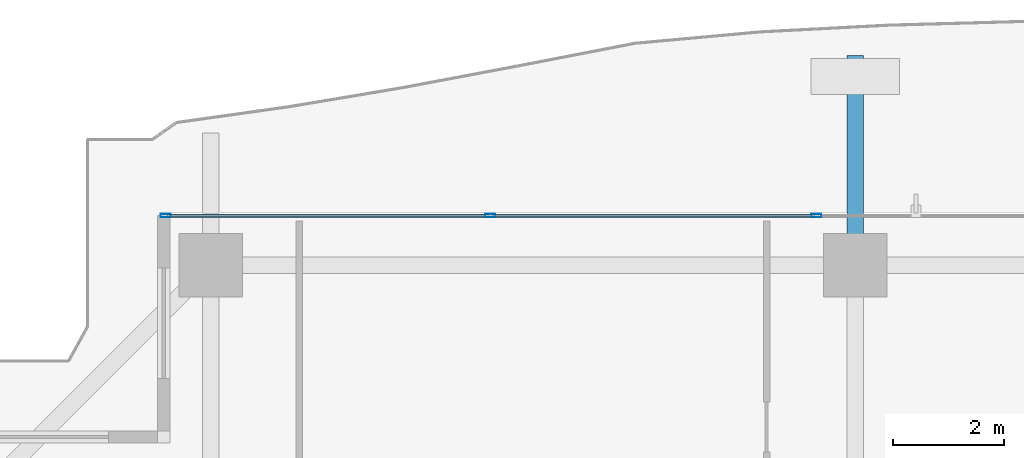
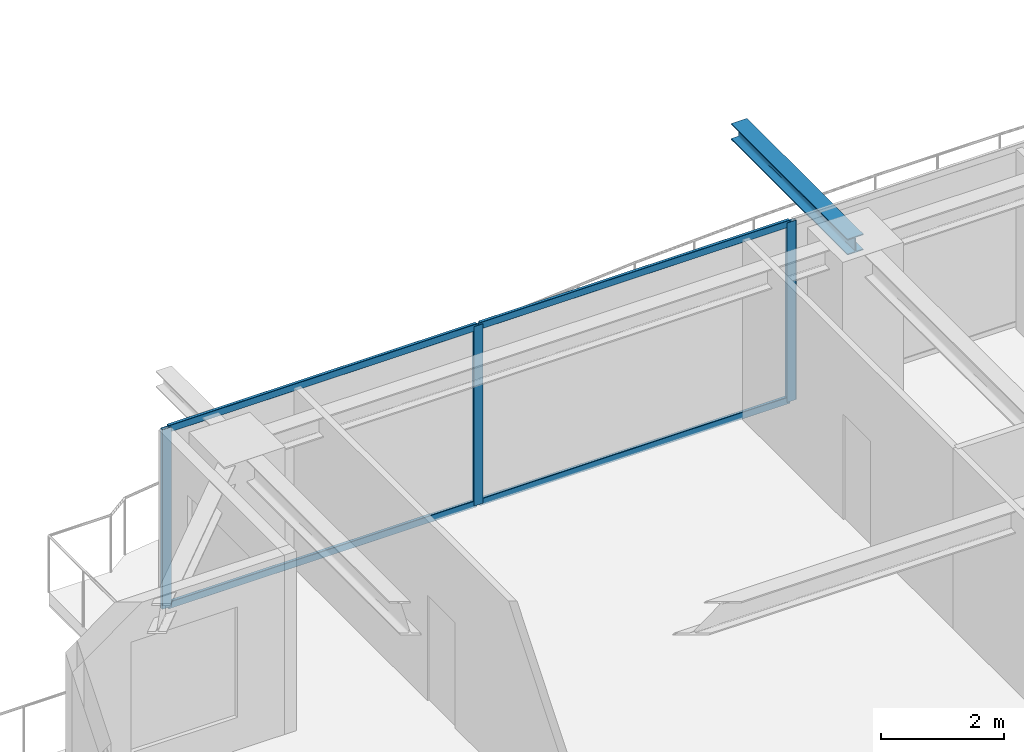
# One storey, part 20 of 38: 7 members, 1 beam, 1 element without a shape of its own.
"""IFC4 building model written with IfcOpenShell, lengths in metres."""

from ifc_helpers import new_model, si_unit, direction, frame, origin, origin_2d, place, context, subcontext, project, spatial, hollow_rectangle, i_section, extrude, source, transform, mapped, material, layer, layer_set, material_profile, profile_set, type_object, element, aggregate, save


model = new_model("IFC4")

# Units and contexts
model_context = context("Model", 3, precision=1e-05, world=origin(), true_north=direction((0.0, 1.0)))
body_context = subcontext(model_context, "Body", "Model", "MODEL_VIEW")
ifc_project = project(units=[si_unit("LENGTHUNIT", "METRE"), si_unit("AREAUNIT", "SQUARE_METRE"), si_unit("VOLUMEUNIT", "CUBIC_METRE"), si_unit("PLANEANGLEUNIT", "RADIAN"), si_unit("MASSUNIT", "GRAM", prefix="KILO")], contexts=[model_context])

# Site, building, storey
site_placement = place(None, origin())
site = spatial("IfcSite", under=ifc_project, at=site_placement, CompositionType="ELEMENT")
building_placement = place(site_placement, origin())
building = spatial("IfcBuilding", under=site, at=building_placement, Name="Serunith Strait Residences", CompositionType="ELEMENT")
storey_placement = place(building_placement, frame((0.0, 0.0, 264.35009765625)))
storey = spatial("IfcBuildingStorey", under=building, at=storey_placement, Name="L66", CompositionType="ELEMENT", Elevation=264.35009765625)

# Beam
ifc_material_1 = material(Name="Steel S355J2", Category="steel")
ifc_material_profile_1 = material_profile(ifc_material_1, i_section(OverallWidth=0.300048828125, OverallDepth=0.320068359375, WebThickness=0.011474609375, FlangeThickness=0.0205078125, FilletRadius=0.027099609375, at=origin_2d()), Name="HEB 320")
ifc_profile_set_1 = profile_set([ifc_material_profile_1], Name="Steel S355J2")
beam_type = type_object("IfcBeamType", Name="BM-HEB320", PredefinedType="BEAM", material=ifc_profile_set_1)
shared_shape_1 = source(origin(), body_context, "Body", "SweptSolid", [
    extrude(i_section(OverallWidth=0.300048828125, OverallDepth=0.320068359375, WebThickness=0.011474609375, FlangeThickness=0.0205078125, FilletRadius=0.027099609375, at=origin_2d()), origin(), (0.0, 0.0, 1.0), 3.800048828125),
])
beam_placement = place(storey_placement, frame((27.89990234375, 48.300048828125, 3.39697265625), z_axis=(0.0, 1.0, 0.0), x_axis=(-1.0, 0.0, 0.0)))
element("IfcBeam", 1, at=beam_placement, inside=storey, type_object=beam_type, Name="L67 Cantilevered Balcony Rib TC-N2", PredefinedType="BEAM", context=body_context, shape_type="MappedRepresentation", body=[
    mapped(shared_shape_1, transform((0.0, 0.0, 0.0), scale=1.0)),
])

# Curtain wall, members
ifc_material_2 = material(Name="Pale-Champagne Anodised Aluminium", Category="aluminium")
ifc_layer = layer(ifc_material_2, 0.199951171875, Name="Pale-Champagne Anodised Aluminium")
ifc_layer_set = layer_set([ifc_layer], Name="Pale-Champagne Anodised Aluminium")
curtain_wall_type = type_object("IfcCurtainWallType", Name="CW-SYS4", PredefinedType="NOTDEFINED", material=ifc_layer_set)
curtain_wall_placement = place(storey_placement, origin())
curtain_wall = element("IfcCurtainWall", 2, at=curtain_wall_placement, inside=storey, type_object=curtain_wall_type, Name="L66 N Unitised Fritted Curtain Wall", PredefinedType="NOTDEFINED")
ifc_material_profile_2 = material_profile(ifc_material_2, hollow_rectangle(XDim=0.06494140625, YDim=0.179931640625, WallThickness=0.00341796875, InnerFilletRadius=0.00537109375, OuterFilletRadius=0.0087890625, at=origin_2d()), Name="ALU 180x65x3.5")
ifc_profile_set_2 = profile_set([ifc_material_profile_2], Name="Pale-Champagne Anodised Aluminium")
member_type_1 = type_object("IfcMemberType", Name="CW-SYS4-MULL", PredefinedType="MULLION", material=ifc_profile_set_2)
shared_shape_2 = source(origin(), body_context, "Body", "SweptSolid", [
    extrude(hollow_rectangle(XDim=0.06494140625, YDim=0.179931640625, WallThickness=0.00341796875, InnerFilletRadius=0.00537109375, OuterFilletRadius=0.0087890625, at=origin_2d()), origin(), (0.0, 0.0, 1.0), 3.574951171875),
])
member_1_placement = place(storey_placement, frame((27.199951171875, 49.199951171875, 0.0), z_axis=(0.0, 0.0, 1.0), x_axis=(0.0, -1.0, 0.0)))
member_1 = element("IfcMember", 3, at=member_1_placement, type_object=member_type_1, Name="CW-4 mullion 2", PredefinedType="MULLION", context=body_context, shape_type="MappedRepresentation", body=[
    mapped(shared_shape_2, transform((0.0, 0.0, 0.0), scale=1.0)),
])
member_2_placement = place(storey_placement, frame((21.300048828125, 49.199951171875, 0.0), z_axis=(0.0, 0.0, 1.0), x_axis=(0.0, -1.0, 0.0)))
member_2 = element("IfcMember", 4, at=member_2_placement, type_object=member_type_1, Name="CW-4 mullion 3", PredefinedType="MULLION", context=body_context, shape_type="MappedRepresentation", body=[
    mapped(shared_shape_2, transform((0.0, 0.0, 0.0), scale=1.0)),
])
member_3_placement = place(storey_placement, frame((15.4326171875, 49.199951171875, 0.0), z_axis=(0.0, 0.0, 1.0), x_axis=(0.0, -1.0, 0.0)))
member_3 = element("IfcMember", 5, at=member_3_placement, type_object=member_type_1, Name="CW-4 mullion 4", PredefinedType="MULLION", context=body_context, shape_type="MappedRepresentation", body=[
    mapped(shared_shape_2, transform((0.0, 0.0, 0.0), scale=1.0)),
])
ifc_material_profile_3 = material_profile(ifc_material_2, hollow_rectangle(XDim=0.06005859375, YDim=0.139892578125, WallThickness=0.00341796875, InnerFilletRadius=0.00537109375, OuterFilletRadius=0.0087890625, at=origin_2d()), Name="ALU 140x60x3.5")
ifc_profile_set_3 = profile_set([ifc_material_profile_3], Name="Pale-Champagne Anodised Aluminium")
member_type_2 = type_object("IfcMemberType", Name="CW-SYS4-TRAN", PredefinedType="USERDEFINED", material=ifc_profile_set_3)
shared_shape_3 = source(origin(), body_context, "Body", "SweptSolid", [
    extrude(hollow_rectangle(XDim=0.06005859375, YDim=0.139892578125, WallThickness=0.00341796875, InnerFilletRadius=0.00537109375, OuterFilletRadius=0.0087890625, at=origin_2d()), origin(), (0.0, 0.0, 1.0), 5.802490234375),
])
member_4_placement = place(storey_placement, frame((21.267578125, 49.199951171875, 0.02978515625), z_axis=(-1.0, 0.0, 0.0), x_axis=(0.0, -1.0, 0.0)))
member_4 = element("IfcMember", 6, at=member_4_placement, type_object=member_type_2, Name="CW-4 transom 3.1", ObjectType="TRANSOM", PredefinedType="USERDEFINED", context=body_context, shape_type="MappedRepresentation", body=[
    mapped(shared_shape_3, transform((0.0, 0.0, 0.0), scale=1.0)),
])
member_5_placement = place(storey_placement, frame((21.267578125, 49.199951171875, 3.544921875), z_axis=(-1.0, 0.0, 0.0), x_axis=(0.0, -1.0, 0.0)))
member_5 = element("IfcMember", 7, at=member_5_placement, type_object=member_type_2, Name="CW-4 transom 3.2", ObjectType="TRANSOM", PredefinedType="USERDEFINED", context=body_context, shape_type="MappedRepresentation", body=[
    mapped(shared_shape_3, transform((0.0, 0.0, 0.0), scale=1.0)),
])
shared_shape_4 = source(origin(), body_context, "Body", "SweptSolid", [
    extrude(hollow_rectangle(XDim=0.06005859375, YDim=0.139892578125, WallThickness=0.00341796875, InnerFilletRadius=0.00537109375, OuterFilletRadius=0.0087890625, at=origin_2d()), origin(), (0.0, 0.0, 1.0), 5.8349609375),
])
member_6_placement = place(storey_placement, frame((27.16748046875, 49.199951171875, 0.02978515625), z_axis=(-1.0, 0.0, 0.0), x_axis=(0.0, -1.0, 0.0)))
member_6 = element("IfcMember", 8, at=member_6_placement, type_object=member_type_2, Name="CW-4 transom 2.1", ObjectType="TRANSOM", PredefinedType="USERDEFINED", context=body_context, shape_type="MappedRepresentation", body=[
    mapped(shared_shape_4, transform((0.0, 0.0, 0.0), scale=1.0)),
])
member_7_placement = place(storey_placement, frame((27.16748046875, 49.199951171875, 3.544921875), z_axis=(-1.0, 0.0, 0.0), x_axis=(0.0, -1.0, 0.0)))
member_7 = element("IfcMember", 9, at=member_7_placement, type_object=member_type_2, Name="CW-4 transom 2.2", ObjectType="TRANSOM", PredefinedType="USERDEFINED", context=body_context, shape_type="MappedRepresentation", body=[
    mapped(shared_shape_4, transform((0.0, 0.0, 0.0), scale=1.0)),
])
aggregate(curtain_wall, [member_1, member_2, member_3, member_6, member_7, member_4, member_5])

save(model, "model.ifc")
